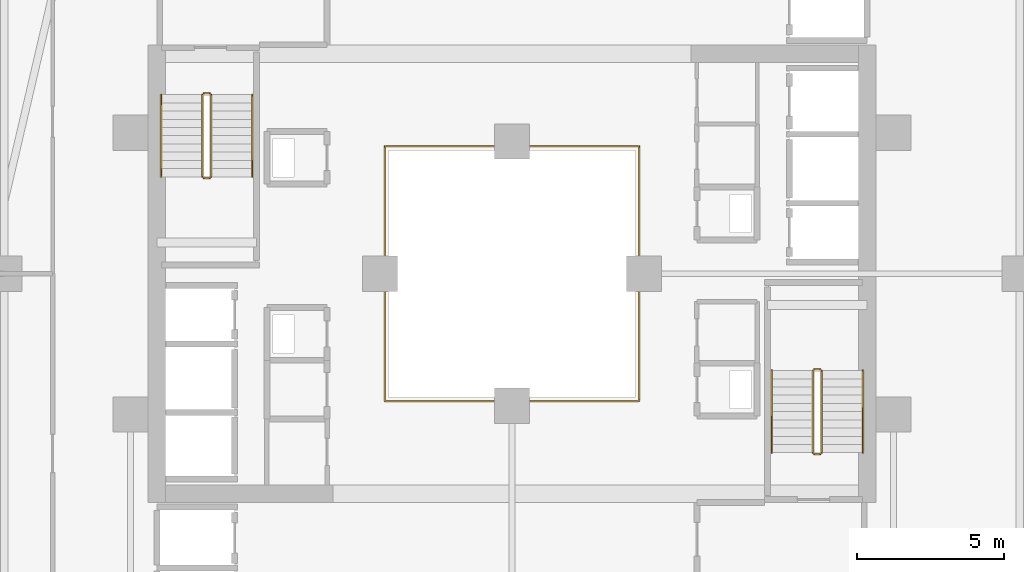
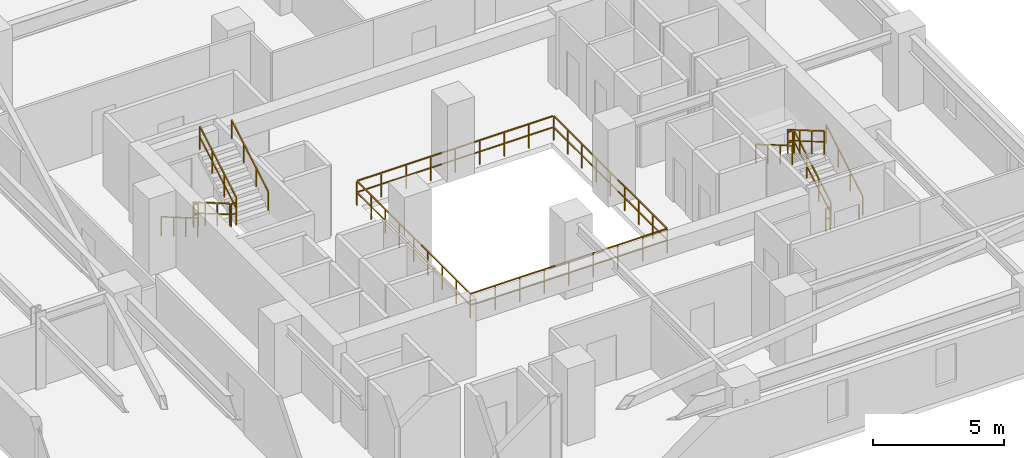
# One storey, part 28 of 29: 13 railings.
"""IFC4 building model written with IfcOpenShell, lengths in metres."""

import ifcopenshell
import ifcopenshell.guid

model = None  # the IFC model being written
_history = None  # IfcOwnerHistory: only IFC2X3 demands one
_inside = {}  # id of a spatial element -> (the spatial element, [elements in it])
_under = {}  # id of a project, library or spatial element -> (it, [spatial elements below it])
_declared = {}  # id of a project -> (the project, [libraries it declares])
_typed = {}  # id of a type object -> (the type object, [elements of that type])
_made_of = {}  # id of a material, layer set ... -> (it, [elements and type objects made of it])


def new_model(schema):
    """Start an empty IFC model of exactly this schema.

    Asked for "IFC4X3", IfcOpenShell would pick the latest addendum, in which some entities
    have other attributes; the version numbers below select the first issue.
    IFC2X3 requires an IfcOwnerHistory on every rooted entity: one is made here for all.
    """
    global model, _history
    if schema == "IFC4X3":
        model = ifcopenshell.file(schema_version=(4, 3, 0, 0))
    else:
        model = ifcopenshell.file(schema=schema)
    _inside.clear()
    _under.clear()
    _declared.clear()
    _typed.clear()
    _made_of.clear()
    _history = None
    if model.schema == "IFC2X3":
        org = make("IfcOrganization", Name="unknown")
        user = make(
            "IfcPersonAndOrganization",
            ThePerson=make("IfcPerson", FamilyName="unknown"),
            TheOrganization=org,
        )
        app = make(
            "IfcApplication",
            ApplicationDeveloper=org,
            Version="unknown",
            ApplicationFullName="unknown",
            ApplicationIdentifier="unknown",
        )
        _history = make(
            "IfcOwnerHistory",
            OwningUser=user,
            OwningApplication=app,
            ChangeAction="ADDED",
            CreationDate=0,
        )
    return model


def make(cls, **values):
    """One entity of the class cls with the attributes given. An attribute that is None is left unset."""
    return model.create_entity(
        cls, **{name: value for name, value in values.items() if value is not None}
    )


def rooted(cls, **values):
    """An entity with a GlobalId (a new one), such as an element, a storey or a relation."""
    return make(cls, GlobalId=ifcopenshell.guid.new(), OwnerHistory=_history, **values)


def si_unit(unit_type, name, prefix=None):
    """IfcSIUnit, for example si_unit("LENGTHUNIT", "METRE", prefix="MILLI")."""
    return make("IfcSIUnit", UnitType=unit_type, Prefix=prefix, Name=name)


def assignment(units):
    """IfcUnitAssignment: the units of a project."""
    return None if units is None else make("IfcUnitAssignment", Units=units)


def point(xyz):
    """IfcCartesianPoint."""
    return None if xyz is None else make("IfcCartesianPoint", Coordinates=xyz)


def direction(xyz):
    """IfcDirection."""
    return None if xyz is None else make("IfcDirection", DirectionRatios=xyz)


def frame(location, z_axis=None, x_axis=None):
    """IfcAxis2Placement3D, a coordinate frame: its origin and axes. An axis left out is left unset."""
    return make(
        "IfcAxis2Placement3D",
        Location=point(location),
        Axis=direction(z_axis),
        RefDirection=direction(x_axis),
    )


def frame_2d(location, x_axis=None):
    """IfcAxis2Placement2D, a coordinate frame in the plane: its origin and x axis."""
    return make(
        "IfcAxis2Placement2D", Location=point(location), RefDirection=direction(x_axis)
    )


def origin():
    """The frame at (0, 0, 0) with its axes left unset."""
    return frame((0.0, 0.0, 0.0))


def origin_2d():
    """The frame at (0, 0) in the plane with its x axis left unset."""
    return frame_2d((0.0, 0.0))


def place(relative_to, where):
    """IfcLocalPlacement: puts the frame where relative to a parent placement (None: the world)."""
    return make(
        "IfcLocalPlacement", PlacementRelTo=relative_to, RelativePlacement=where
    )


def context(
    kind, dimensions, precision=None, world=None, true_north=None, identifier=None
):
    """IfcGeometricRepresentationContext, for example the 3D "Model" context."""
    return make(
        "IfcGeometricRepresentationContext",
        ContextIdentifier=identifier,
        ContextType=kind,
        CoordinateSpaceDimension=dimensions,
        Precision=precision,
        WorldCoordinateSystem=world,
        TrueNorth=true_north,
    )


def subcontext(parent, identifier, kind, view, scale=None):
    """IfcGeometricRepresentationSubContext, for example "Body" below "Model"."""
    return make(
        "IfcGeometricRepresentationSubContext",
        ContextIdentifier=identifier,
        ContextType=kind,
        ParentContext=parent,
        TargetScale=scale,
        TargetView=view,
    )


def project(units=None, contexts=None):
    """IfcProject with its units and contexts."""
    return rooted(
        "IfcProject",
        Name="project",
        RepresentationContexts=contexts,
        UnitsInContext=assignment(units),
    )


def spatial(cls, under=None, at=None, **own):
    """A site, building, storey or space (cls), placed at a placement, below another one or the project."""
    s = rooted(cls, ObjectPlacement=at, **own)
    if under is not None:
        _under.setdefault(under.id(), (under, []))[1].append(s)
    return s


def profile(cls, at=None, kind="AREA", **sizes):
    """A parametric profile (cls). Its sizes go by their IFC names, for example OverallWidth=200.0."""
    return make(cls, ProfileType=kind, Position=at, **sizes)


def rectangle(**sizes):
    """IfcRectangleProfileDef."""
    return profile("IfcRectangleProfileDef", **sizes)


def extrude(swept, where, along, depth):
    """IfcExtrudedAreaSolid: the profile swept, set in the frame where, extruded along a direction by depth."""
    return make(
        "IfcExtrudedAreaSolid",
        SweptArea=swept,
        Position=where,
        ExtrudedDirection=direction(along),
        Depth=depth,
    )


def shape(context_of_items, identifier, shape_type, items):
    """IfcShapeRepresentation: the items that make up one representation, for example the "Body"."""
    return make(
        "IfcShapeRepresentation",
        ContextOfItems=context_of_items,
        RepresentationIdentifier=identifier,
        RepresentationType=shape_type,
        Items=items,
    )


def material(Name=None, Category=None):
    """IfcMaterial."""
    return make("IfcMaterial", Name=Name, Category=Category)


def made_of(thing, what):
    """Note that an element or type object is made of a material, layer set ...; save() writes the relation."""
    if what is not None:
        _made_of.setdefault(what.id(), (what, []))[1].append(thing)
    return thing


def type_object(cls, material=None, **own):
    """A type object (cls), such as IfcWallType, which elements share."""
    return made_of(rooted(cls, **own), material)


def element(
    cls,
    number,
    at=None,
    inside=None,
    cuts=None,
    type_object=None,
    material=None,
    context=None,
    identifier="Body",
    shape_type=None,
    held_by="IfcProductDefinitionShape",
    body=None,
    shapes=None,
    **own,
):
    """One element of the class cls, such as IfcWall. Its Tag is "e" and its number.

    at: its placement. inside: the storey or other place that contains it. cuts: it is an
    opening in that element (IfcRelVoidsElement). A single representation is given by context,
    identifier, shape_type and body (its items); several are given by shapes. held_by: the class
    of the entity that holds the representations. save() writes the other relations.
    """
    e = rooted(cls, Tag="e%d" % number, ObjectPlacement=at, **own)
    if body is not None:
        shapes = [shape(context, identifier, shape_type, body)]
    if shapes is not None:
        e.Representation = make(held_by, Representations=shapes)
    if inside is not None:
        _inside.setdefault(inside.id(), (inside, []))[1].append(e)
    if cuts is not None:
        rooted(
            "IfcRelVoidsElement", RelatingBuildingElement=cuts, RelatedOpeningElement=e
        )
    if type_object is not None:
        _typed.setdefault(type_object.id(), (type_object, []))[1].append(e)
    return made_of(e, material)


def aggregate(whole, parts):
    """IfcRelAggregates: a whole, such as a stair, and the parts it consists of."""
    return rooted("IfcRelAggregates", RelatingObject=whole, RelatedObjects=parts)


def save(model, path):
    """Write the relations noted so far, then the file.

    IfcRelAggregates (storeys below a building ...), IfcRelContainedInSpatialStructure (elements
    in a storey), IfcRelDefinesByType, IfcRelAssociatesMaterial and IfcRelDeclares: one each for
    every whole, place, type object, material and project.
    """
    for whole, parts in _under.values():
        aggregate(whole, parts)
    for where, things in _inside.values():
        rooted(
            "IfcRelContainedInSpatialStructure",
            RelatedElements=things,
            RelatingStructure=where,
        )
    for kind, things in _typed.values():
        rooted("IfcRelDefinesByType", RelatedObjects=things, RelatingType=kind)
    for what, things in _made_of.values():
        rooted("IfcRelAssociatesMaterial", RelatedObjects=things, RelatingMaterial=what)
    for by, libraries in _declared.values():
        rooted("IfcRelDeclares", RelatingContext=by, RelatedDefinitions=libraries)
    model.write(path)


model = new_model("IFC4")

# Units and contexts
model_context = context("Model", 3, precision=1e-05, world=origin(), true_north=direction((0.0, 1.0)))
body_context = subcontext(model_context, "Body", "Model", "MODEL_VIEW")
ifc_project = project(units=[si_unit("LENGTHUNIT", "METRE"), si_unit("AREAUNIT", "SQUARE_METRE"), si_unit("VOLUMEUNIT", "CUBIC_METRE"), si_unit("PLANEANGLEUNIT", "RADIAN"), si_unit("MASSUNIT", "GRAM", prefix="KILO")], contexts=[model_context])

# Site, building, storey
site_placement = place(None, origin())
site = spatial("IfcSite", under=ifc_project, at=site_placement, CompositionType="ELEMENT")
building_placement = place(site_placement, origin())
building = spatial("IfcBuilding", under=site, at=building_placement, Name="Thornwick Lancets Civic Towers", CompositionType="ELEMENT")
storey_placement = place(building_placement, frame((0.0, 0.0, 83.699951171875)))
storey = spatial("IfcBuildingStorey", under=building, at=storey_placement, Name="L21", CompositionType="ELEMENT", Elevation=83.699951171875)

# Railings
ifc_material_1 = material(Name="Laminated glass and bronze steel S355", Category="steel")
railing_type_1 = type_object("IfcRailingType", Name="RAIL_ATRIUM_GUARD", PredefinedType="BALUSTRADE", material=ifc_material_1)
railing_1_placement = place(storey_placement, frame((84.159912109375, 22.659912109375, 0.0)))
element("IfcRailing", 1, at=railing_1_placement, inside=storey, type_object=railing_type_1, Name="L21 Tower B Central Atrium Guard Balustrade", PredefinedType="BALUSTRADE", context=body_context, shape_type="SweptSolid", body=[
    extrude(rectangle(XDim=0.048095703125, YDim=0.048095703125, at=origin_2d()), frame((0.0, 0.0, 1.1259765625), z_axis=(1.0, 0.0, 0.0), x_axis=(0.0, 1.0, 0.0)), (0.0, 0.0, 1.0), 8.64892578125),
    extrude(rectangle(XDim=0.0419921875, YDim=0.0419921875, at=origin_2d()), frame((0.03759765625, 0.0, 0.597900390625), z_axis=(1.0, 0.0, 0.0), x_axis=(0.0, 1.0, 0.0)), (0.0, 0.0, 1.0), 1.010009765625),
    extrude(rectangle(XDim=0.0419921875, YDim=0.0419921875, at=origin_2d()), frame((1.12255859375, 0.0, 0.597900390625), z_axis=(1.0, 0.0, 0.0), x_axis=(0.0, 1.0, 0.0)), (0.0, 0.0, 1.0), 1.010009765625),
    extrude(rectangle(XDim=0.0419921875, YDim=0.0419921875, at=origin_2d()), frame((2.20751953125, 0.0, 0.597900390625), z_axis=(1.0, 0.0, 0.0), x_axis=(0.0, 1.0, 0.0)), (0.0, 0.0, 1.0), 1.010009765625),
    extrude(rectangle(XDim=0.0419921875, YDim=0.0419921875, at=origin_2d()), frame((3.29248046875, 0.0, 0.597900390625), z_axis=(1.0, 0.0, 0.0), x_axis=(0.0, 1.0, 0.0)), (0.0, 0.0, 1.0), 1.010009765625),
    extrude(rectangle(XDim=0.0419921875, YDim=0.0419921875, at=origin_2d()), frame((4.377685546875, 0.0, 0.597900390625), z_axis=(1.0, 0.0, 0.0), x_axis=(0.0, 1.0, 0.0)), (0.0, 0.0, 1.0), 1.010009765625),
    extrude(rectangle(XDim=0.0419921875, YDim=0.0419921875, at=origin_2d()), frame((5.462646484375, 0.0, 0.597900390625), z_axis=(1.0, 0.0, 0.0), x_axis=(0.0, 1.0, 0.0)), (0.0, 0.0, 1.0), 1.010009765625),
    extrude(rectangle(XDim=0.0419921875, YDim=0.0419921875, at=origin_2d()), frame((6.547607421875, 0.0, 0.597900390625), z_axis=(1.0, 0.0, 0.0), x_axis=(0.0, 1.0, 0.0)), (0.0, 0.0, 1.0), 1.010009765625),
    extrude(rectangle(XDim=0.0419921875, YDim=0.0419921875, at=origin_2d()), frame((7.632568359375, 0.0, 0.597900390625), z_axis=(1.0, 0.0, 0.0), x_axis=(0.0, 1.0, 0.0)), (0.0, 0.0, 1.0), 1.010009765625),
    extrude(rectangle(XDim=0.048095703125, YDim=0.048095703125, at=origin_2d()), frame((8.68017578125, 0.03125, 1.1259765625), z_axis=(0.0, 1.0, 0.0), x_axis=(-1.0, 0.0, 0.0)), (0.0, 0.0, 1.0), 8.61767578125),
    extrude(rectangle(XDim=0.0419921875, YDim=0.0419921875, at=origin_2d()), frame((8.68017578125, 0.03759765625, 0.597900390625), z_axis=(0.0, 1.0, 0.0), x_axis=(-1.0, 0.0, 0.0)), (0.0, 0.0, 1.0), 1.010009765625),
    extrude(rectangle(XDim=0.0419921875, YDim=0.0419921875, at=origin_2d()), frame((8.68017578125, 1.12255859375, 0.597900390625), z_axis=(0.0, 1.0, 0.0), x_axis=(-1.0, 0.0, 0.0)), (0.0, 0.0, 1.0), 1.010009765625),
    extrude(rectangle(XDim=0.0419921875, YDim=0.0419921875, at=origin_2d()), frame((8.68017578125, 2.20751953125, 0.597900390625), z_axis=(0.0, 1.0, 0.0), x_axis=(-1.0, 0.0, 0.0)), (0.0, 0.0, 1.0), 1.010009765625),
    extrude(rectangle(XDim=0.0419921875, YDim=0.0419921875, at=origin_2d()), frame((8.68017578125, 3.29248046875, 0.597900390625), z_axis=(0.0, 1.0, 0.0), x_axis=(-1.0, 0.0, 0.0)), (0.0, 0.0, 1.0), 1.010009765625),
    extrude(rectangle(XDim=0.0419921875, YDim=0.0419921875, at=origin_2d()), frame((8.68017578125, 4.377685546875, 0.597900390625), z_axis=(0.0, 1.0, 0.0), x_axis=(-1.0, 0.0, 0.0)), (0.0, 0.0, 1.0), 1.010009765625),
    extrude(rectangle(XDim=0.0419921875, YDim=0.0419921875, at=origin_2d()), frame((8.68017578125, 5.462646484375, 0.597900390625), z_axis=(0.0, 1.0, 0.0), x_axis=(-1.0, 0.0, 0.0)), (0.0, 0.0, 1.0), 1.010009765625),
    extrude(rectangle(XDim=0.0419921875, YDim=0.0419921875, at=origin_2d()), frame((8.68017578125, 6.547607421875, 0.597900390625), z_axis=(0.0, 1.0, 0.0), x_axis=(-1.0, 0.0, 0.0)), (0.0, 0.0, 1.0), 1.010009765625),
    extrude(rectangle(XDim=0.0419921875, YDim=0.0419921875, at=origin_2d()), frame((8.68017578125, 7.632568359375, 0.597900390625), z_axis=(0.0, 1.0, 0.0), x_axis=(-1.0, 0.0, 0.0)), (0.0, 0.0, 1.0), 1.010009765625),
    extrude(rectangle(XDim=0.048095703125, YDim=0.048095703125, at=origin_2d()), frame((8.64892578125, 8.68017578125, 1.1259765625), z_axis=(-1.0, 0.0, 0.0), x_axis=(0.0, -1.0, 0.0)), (0.0, 0.0, 1.0), 8.61767578125),
    extrude(rectangle(XDim=0.0419921875, YDim=0.0419921875, at=origin_2d()), frame((8.642578125, 8.68017578125, 0.597900390625), z_axis=(-1.0, 0.0, 0.0), x_axis=(0.0, -1.0, 0.0)), (0.0, 0.0, 1.0), 1.010009765625),
    extrude(rectangle(XDim=0.0419921875, YDim=0.0419921875, at=origin_2d()), frame((7.5576171875, 8.68017578125, 0.597900390625), z_axis=(-1.0, 0.0, 0.0), x_axis=(0.0, -1.0, 0.0)), (0.0, 0.0, 1.0), 1.010009765625),
    extrude(rectangle(XDim=0.0419921875, YDim=0.0419921875, at=origin_2d()), frame((6.47265625, 8.68017578125, 0.597900390625), z_axis=(-1.0, 0.0, 0.0), x_axis=(0.0, -1.0, 0.0)), (0.0, 0.0, 1.0), 1.010009765625),
    extrude(rectangle(XDim=0.0419921875, YDim=0.0419921875, at=origin_2d()), frame((5.3876953125, 8.68017578125, 0.597900390625), z_axis=(-1.0, 0.0, 0.0), x_axis=(0.0, -1.0, 0.0)), (0.0, 0.0, 1.0), 1.010009765625),
    extrude(rectangle(XDim=0.0419921875, YDim=0.0419921875, at=origin_2d()), frame((4.302490234375, 8.68017578125, 0.597900390625), z_axis=(-1.0, 0.0, 0.0), x_axis=(0.0, -1.0, 0.0)), (0.0, 0.0, 1.0), 1.010009765625),
    extrude(rectangle(XDim=0.0419921875, YDim=0.0419921875, at=origin_2d()), frame((3.217529296875, 8.68017578125, 0.597900390625), z_axis=(-1.0, 0.0, 0.0), x_axis=(0.0, -1.0, 0.0)), (0.0, 0.0, 1.0), 1.010009765625),
    extrude(rectangle(XDim=0.0419921875, YDim=0.0419921875, at=origin_2d()), frame((2.132568359375, 8.68017578125, 0.597900390625), z_axis=(-1.0, 0.0, 0.0), x_axis=(0.0, -1.0, 0.0)), (0.0, 0.0, 1.0), 1.010009765625),
    extrude(rectangle(XDim=0.0419921875, YDim=0.0419921875, at=origin_2d()), frame((1.047607421875, 8.68017578125, 0.597900390625), z_axis=(-1.0, 0.0, 0.0), x_axis=(0.0, -1.0, 0.0)), (0.0, 0.0, 1.0), 1.010009765625),
    extrude(rectangle(XDim=0.048095703125, YDim=0.048095703125, at=origin_2d()), frame((0.0, 8.64892578125, 1.1259765625), z_axis=(0.0, -1.0, 0.0), x_axis=(1.0, 0.0, 0.0)), (0.0, 0.0, 1.0), 8.64892578125),
    extrude(rectangle(XDim=0.0419921875, YDim=0.0419921875, at=origin_2d()), frame((0.0, 8.642578125, 0.597900390625), z_axis=(0.0, -1.0, 0.0), x_axis=(1.0, 0.0, 0.0)), (0.0, 0.0, 1.0), 1.010009765625),
    extrude(rectangle(XDim=0.0419921875, YDim=0.0419921875, at=origin_2d()), frame((0.0, 7.5576171875, 0.597900390625), z_axis=(0.0, -1.0, 0.0), x_axis=(1.0, 0.0, 0.0)), (0.0, 0.0, 1.0), 1.010009765625),
    extrude(rectangle(XDim=0.0419921875, YDim=0.0419921875, at=origin_2d()), frame((0.0, 6.47265625, 0.597900390625), z_axis=(0.0, -1.0, 0.0), x_axis=(1.0, 0.0, 0.0)), (0.0, 0.0, 1.0), 1.010009765625),
    extrude(rectangle(XDim=0.0419921875, YDim=0.0419921875, at=origin_2d()), frame((0.0, 5.3876953125, 0.597900390625), z_axis=(0.0, -1.0, 0.0), x_axis=(1.0, 0.0, 0.0)), (0.0, 0.0, 1.0), 1.010009765625),
    extrude(rectangle(XDim=0.0419921875, YDim=0.0419921875, at=origin_2d()), frame((0.0, 4.302490234375, 0.597900390625), z_axis=(0.0, -1.0, 0.0), x_axis=(1.0, 0.0, 0.0)), (0.0, 0.0, 1.0), 1.010009765625),
    extrude(rectangle(XDim=0.0419921875, YDim=0.0419921875, at=origin_2d()), frame((0.0, 3.217529296875, 0.597900390625), z_axis=(0.0, -1.0, 0.0), x_axis=(1.0, 0.0, 0.0)), (0.0, 0.0, 1.0), 1.010009765625),
    extrude(rectangle(XDim=0.0419921875, YDim=0.0419921875, at=origin_2d()), frame((0.0, 2.132568359375, 0.597900390625), z_axis=(0.0, -1.0, 0.0), x_axis=(1.0, 0.0, 0.0)), (0.0, 0.0, 1.0), 1.010009765625),
    extrude(rectangle(XDim=0.0419921875, YDim=0.0419921875, at=origin_2d()), frame((0.0, 1.047607421875, 0.597900390625), z_axis=(0.0, -1.0, 0.0), x_axis=(1.0, 0.0, 0.0)), (0.0, 0.0, 1.0), 1.010009765625),
    extrude(rectangle(XDim=0.0419921875, YDim=0.0419921875, at=origin_2d()), origin(), (0.0, 0.0, 1.0), 1.095703125),
    extrude(rectangle(XDim=0.0419921875, YDim=0.0419921875, at=origin_2d()), frame((1.0849609375, 0.0, 0.0)), (0.0, 0.0, 1.0), 1.095703125),
    extrude(rectangle(XDim=0.0419921875, YDim=0.0419921875, at=origin_2d()), frame((2.169921875, 0.0, 0.0)), (0.0, 0.0, 1.0), 1.095703125),
    extrude(rectangle(XDim=0.0419921875, YDim=0.0419921875, at=origin_2d()), frame((3.255126953125, 0.0, 0.0)), (0.0, 0.0, 1.0), 1.095703125),
    extrude(rectangle(XDim=0.0419921875, YDim=0.0419921875, at=origin_2d()), frame((4.340087890625, 0.0, 0.0)), (0.0, 0.0, 1.0), 1.095703125),
    extrude(rectangle(XDim=0.0419921875, YDim=0.0419921875, at=origin_2d()), frame((5.425048828125, 0.0, 0.0)), (0.0, 0.0, 1.0), 1.095703125),
    extrude(rectangle(XDim=0.0419921875, YDim=0.0419921875, at=origin_2d()), frame((6.51025390625, 0.0, 0.0)), (0.0, 0.0, 1.0), 1.095703125),
    extrude(rectangle(XDim=0.0419921875, YDim=0.0419921875, at=origin_2d()), frame((7.59521484375, 0.0, 0.0)), (0.0, 0.0, 1.0), 1.095703125),
    extrude(rectangle(XDim=0.0419921875, YDim=0.0419921875, at=origin_2d()), frame((8.68017578125, 0.0, 0.0)), (0.0, 0.0, 1.0), 1.095703125),
    extrude(rectangle(XDim=0.0419921875, YDim=0.0419921875, at=origin_2d()), frame((8.68017578125, 1.0849609375, 0.0)), (0.0, 0.0, 1.0), 1.095703125),
    extrude(rectangle(XDim=0.0419921875, YDim=0.0419921875, at=origin_2d()), frame((8.68017578125, 2.169921875, 0.0)), (0.0, 0.0, 1.0), 1.095703125),
    extrude(rectangle(XDim=0.0419921875, YDim=0.0419921875, at=origin_2d()), frame((8.68017578125, 3.255126953125, 0.0)), (0.0, 0.0, 1.0), 1.095703125),
    extrude(rectangle(XDim=0.0419921875, YDim=0.0419921875, at=origin_2d()), frame((8.68017578125, 4.340087890625, 0.0)), (0.0, 0.0, 1.0), 1.095703125),
    extrude(rectangle(XDim=0.0419921875, YDim=0.0419921875, at=origin_2d()), frame((8.68017578125, 5.425048828125, 0.0)), (0.0, 0.0, 1.0), 1.095703125),
    extrude(rectangle(XDim=0.0419921875, YDim=0.0419921875, at=origin_2d()), frame((8.68017578125, 6.51025390625, 0.0)), (0.0, 0.0, 1.0), 1.095703125),
    extrude(rectangle(XDim=0.0419921875, YDim=0.0419921875, at=origin_2d()), frame((8.68017578125, 7.59521484375, 0.0)), (0.0, 0.0, 1.0), 1.095703125),
    extrude(rectangle(XDim=0.0419921875, YDim=0.0419921875, at=origin_2d()), frame((8.68017578125, 8.68017578125, 0.0)), (0.0, 0.0, 1.0), 1.095703125),
    extrude(rectangle(XDim=0.0419921875, YDim=0.0419921875, at=origin_2d()), frame((7.59521484375, 8.68017578125, 0.0)), (0.0, 0.0, 1.0), 1.095703125),
    extrude(rectangle(XDim=0.0419921875, YDim=0.0419921875, at=origin_2d()), frame((6.51025390625, 8.68017578125, 0.0)), (0.0, 0.0, 1.0), 1.095703125),
    extrude(rectangle(XDim=0.0419921875, YDim=0.0419921875, at=origin_2d()), frame((5.425048828125, 8.68017578125, 0.0)), (0.0, 0.0, 1.0), 1.095703125),
    extrude(rectangle(XDim=0.0419921875, YDim=0.0419921875, at=origin_2d()), frame((4.340087890625, 8.68017578125, 0.0)), (0.0, 0.0, 1.0), 1.095703125),
    extrude(rectangle(XDim=0.0419921875, YDim=0.0419921875, at=origin_2d()), frame((3.255126953125, 8.68017578125, 0.0)), (0.0, 0.0, 1.0), 1.095703125),
    extrude(rectangle(XDim=0.0419921875, YDim=0.0419921875, at=origin_2d()), frame((2.169921875, 8.68017578125, 0.0)), (0.0, 0.0, 1.0), 1.095703125),
    extrude(rectangle(XDim=0.0419921875, YDim=0.0419921875, at=origin_2d()), frame((1.0849609375, 8.68017578125, 0.0)), (0.0, 0.0, 1.0), 1.095703125),
    extrude(rectangle(XDim=0.0419921875, YDim=0.0419921875, at=origin_2d()), frame((0.0, 8.68017578125, 0.0)), (0.0, 0.0, 1.0), 1.095703125),
    extrude(rectangle(XDim=0.0419921875, YDim=0.0419921875, at=origin_2d()), frame((0.0, 7.59521484375, 0.0)), (0.0, 0.0, 1.0), 1.095703125),
    extrude(rectangle(XDim=0.0419921875, YDim=0.0419921875, at=origin_2d()), frame((0.0, 6.51025390625, 0.0)), (0.0, 0.0, 1.0), 1.095703125),
    extrude(rectangle(XDim=0.0419921875, YDim=0.0419921875, at=origin_2d()), frame((0.0, 5.425048828125, 0.0)), (0.0, 0.0, 1.0), 1.095703125),
    extrude(rectangle(XDim=0.0419921875, YDim=0.0419921875, at=origin_2d()), frame((0.0, 4.340087890625, 0.0)), (0.0, 0.0, 1.0), 1.095703125),
    extrude(rectangle(XDim=0.0419921875, YDim=0.0419921875, at=origin_2d()), frame((0.0, 3.255126953125, 0.0)), (0.0, 0.0, 1.0), 1.095703125),
    extrude(rectangle(XDim=0.0419921875, YDim=0.0419921875, at=origin_2d()), frame((0.0, 2.169921875, 0.0)), (0.0, 0.0, 1.0), 1.095703125),
    extrude(rectangle(XDim=0.0419921875, YDim=0.0419921875, at=origin_2d()), frame((0.0, 1.0849609375, 0.0)), (0.0, 0.0, 1.0), 1.095703125),
])
ifc_material_2 = material(Name="Brushed stainless steel S355", Category="steel")
railing_type_2 = type_object("IfcRailingType", Name="RAIL_HANDRAIL", PredefinedType="HANDRAIL", material=ifc_material_2)
railing_2_placement = place(storey_placement, frame((100.449951171875, 20.89990234375, 0.16357421875)))
element("IfcRailing", 2, at=railing_2_placement, inside=storey, type_object=railing_type_2, Name="L21 ST-B1 stair handrail 1", PredefinedType="HANDRAIL", context=body_context, shape_type="SweptSolid", body=[
    extrude(rectangle(XDim=0.048095703125, YDim=0.048095703125, at=origin_2d()), frame((0.0, 0.0, 0.8857421875), z_axis=(0.0, 0.863360870873, 0.504586966384), x_axis=(-1.0, 0.0, 0.0)), (0.0, 0.0, 1.0), 3.2431640625),
    extrude(rectangle(XDim=0.0419921875, YDim=0.0419921875, at=origin_2d()), origin(), (0.0, 0.0, 1.0), 0.855712890625),
    extrude(rectangle(XDim=0.0419921875, YDim=0.0419921875, at=origin_2d()), frame((0.0, 0.933349609375, 0.54541015625)), (0.0, 0.0, 1.0), 0.855712890625),
    extrude(rectangle(XDim=0.0419921875, YDim=0.0419921875, at=origin_2d()), frame((0.0, 1.86669921875, 1.091064453125)), (0.0, 0.0, 1.0), 0.855712890625),
    extrude(rectangle(XDim=0.0419921875, YDim=0.0419921875, at=origin_2d()), frame((0.0, 2.800048828125, 1.636474609375)), (0.0, 0.0, 1.0), 0.855712890625),
])
for number, where, name in (
    (3, (97.35009765625, 23.699951171875, 1.963623046875), "L21 ST-B1 stair handrail 2"),
    (4, (76.550048828125, 33.10009765625, 0.16357421875), "L21 ST-B2 stair handrail 1"),
):
    element("IfcRailing", number, at=place(storey_placement, frame(where)), inside=storey, type_object=railing_type_2, Name=name, PredefinedType="HANDRAIL", context=body_context, shape_type="SweptSolid", body=[
        extrude(rectangle(XDim=0.048095703125, YDim=0.048095703125, at=origin_2d()), frame((0.0, 0.0, 0.8857421875), z_axis=(0.0, -0.863360870873, 0.504586966384), x_axis=(1.0, 0.0, 0.0)), (0.0, 0.0, 1.0), 3.2431640625),
        extrude(rectangle(XDim=0.0419921875, YDim=0.0419921875, at=origin_2d()), origin(), (0.0, 0.0, 1.0), 0.855712890625),
        extrude(rectangle(XDim=0.0419921875, YDim=0.0419921875, at=origin_2d()), frame((0.0, -0.933349609375, 0.54541015625)), (0.0, 0.0, 1.0), 0.855712890625),
        extrude(rectangle(XDim=0.0419921875, YDim=0.0419921875, at=origin_2d()), frame((0.0, -1.86669921875, 1.091064453125)), (0.0, 0.0, 1.0), 0.855712890625),
        extrude(rectangle(XDim=0.0419921875, YDim=0.0419921875, at=origin_2d()), frame((0.0, -2.800048828125, 1.636474609375)), (0.0, 0.0, 1.0), 0.855712890625),
    ])
railing_3_placement = place(storey_placement, frame((79.64990234375, 30.300048828125, 1.963623046875)))
element("IfcRailing", 5, at=railing_3_placement, inside=storey, type_object=railing_type_2, Name="L21 ST-B2 stair handrail 2", PredefinedType="HANDRAIL", context=body_context, shape_type="SweptSolid", body=[
    extrude(rectangle(XDim=0.048095703125, YDim=0.048095703125, at=origin_2d()), frame((0.0, 0.0, 0.8857421875), z_axis=(0.0, 0.863360870873, 0.504586966384), x_axis=(-1.0, 0.0, 0.0)), (0.0, 0.0, 1.0), 3.2431640625),
    extrude(rectangle(XDim=0.0419921875, YDim=0.0419921875, at=origin_2d()), origin(), (0.0, 0.0, 1.0), 0.855712890625),
    extrude(rectangle(XDim=0.0419921875, YDim=0.0419921875, at=origin_2d()), frame((0.0, 0.933349609375, 0.54541015625)), (0.0, 0.0, 1.0), 0.855712890625),
    extrude(rectangle(XDim=0.0419921875, YDim=0.0419921875, at=origin_2d()), frame((0.0, 1.86669921875, 1.091064453125)), (0.0, 0.0, 1.0), 0.855712890625),
    extrude(rectangle(XDim=0.0419921875, YDim=0.0419921875, at=origin_2d()), frame((0.0, 2.800048828125, 1.636474609375)), (0.0, 0.0, 1.0), 0.855712890625),
])
ifc_material_3 = material(Name="Steel S355JR", Category="steel")
railing_type_3 = type_object("IfcRailingType", Name="RAIL_STAIR_GUARD", PredefinedType="GUARDRAIL", material=ifc_material_3)
railing_4_placement = place(storey_placement, frame((99.050048828125, 20.89990234375, 0.16357421875)))
element("IfcRailing", 6, at=railing_4_placement, inside=storey, type_object=railing_type_3, Name="L21 ST-B1 stair guard 1", PredefinedType="GUARDRAIL", context=body_context, shape_type="SweptSolid", body=[
    extrude(rectangle(XDim=0.048095703125, YDim=0.048095703125, at=origin_2d()), frame((0.0, 0.0, 1.076171875), z_axis=(0.0, 0.863360870873, 0.504586966384), x_axis=(-1.0, 0.0, 0.0)), (0.0, 0.0, 1.0), 3.2431640625),
    extrude(rectangle(XDim=0.0419921875, YDim=0.0419921875, at=origin_2d()), frame((0.0, 0.032470703125, 0.591064453125), z_axis=(0.0, 0.863360870873, 0.504586966384), x_axis=(-1.0, 0.0, 0.0)), (0.0, 0.0, 1.0), 1.006103515625),
    extrude(rectangle(XDim=0.0419921875, YDim=0.0419921875, at=origin_2d()), frame((0.0, 0.9658203125, 1.136474609375), z_axis=(0.0, 0.863360870873, 0.504586966384), x_axis=(-1.0, 0.0, 0.0)), (0.0, 0.0, 1.0), 1.006103515625),
    extrude(rectangle(XDim=0.0419921875, YDim=0.0419921875, at=origin_2d()), frame((0.0, 1.899169921875, 1.681884765625), z_axis=(0.0, 0.863360870873, 0.504586966384), x_axis=(-1.0, 0.0, 0.0)), (0.0, 0.0, 1.0), 1.006103515625),
    extrude(rectangle(XDim=0.0419921875, YDim=0.0419921875, at=origin_2d()), origin(), (0.0, 0.0, 1.0), 1.0458984375),
    extrude(rectangle(XDim=0.0419921875, YDim=0.0419921875, at=origin_2d()), frame((0.0, 0.933349609375, 0.54541015625)), (0.0, 0.0, 1.0), 1.0458984375),
    extrude(rectangle(XDim=0.0419921875, YDim=0.0419921875, at=origin_2d()), frame((0.0, 1.86669921875, 1.091064453125)), (0.0, 0.0, 1.0), 1.0458984375),
    extrude(rectangle(XDim=0.0419921875, YDim=0.0419921875, at=origin_2d()), frame((0.0, 2.800048828125, 1.636474609375)), (0.0, 0.0, 1.0), 1.0458984375),
])
railing_5_placement = place(storey_placement, frame((99.0, 23.75, 1.800048828125)))
element("IfcRailing", 7, at=railing_5_placement, inside=storey, type_object=railing_type_3, Name="L21 ST-B1 stair guard 2", PredefinedType="GUARDRAIL", context=body_context, shape_type="SweptSolid", body=[
    extrude(rectangle(XDim=0.048095703125, YDim=0.048095703125, at=origin_2d()), frame((0.0, 0.0, 1.076171875), z_axis=(-1.0, 0.0, 0.0), x_axis=(0.0, -1.0, 0.0)), (0.0, 0.0, 1.0), 0.199951171875),
    extrude(rectangle(XDim=0.0419921875, YDim=0.0419921875, at=origin_2d()), frame((-0.03759765625, 0.0, 0.572021484375), z_axis=(-1.0, 0.0, 0.0), x_axis=(0.0, -1.0, 0.0)), (0.0, 0.0, 1.0), 0.125),
    extrude(rectangle(XDim=0.0419921875, YDim=0.0419921875, at=origin_2d()), origin(), (0.0, 0.0, 1.0), 1.0458984375),
    extrude(rectangle(XDim=0.0419921875, YDim=0.0419921875, at=origin_2d()), frame((-0.199951171875, 0.0, 0.0)), (0.0, 0.0, 1.0), 1.0458984375),
])
railing_6_placement = place(storey_placement, frame((98.75, 23.699951171875, 1.963623046875)))
element("IfcRailing", 8, at=railing_6_placement, inside=storey, type_object=railing_type_3, Name="L21 ST-B1 stair guard 3", PredefinedType="GUARDRAIL", context=body_context, shape_type="SweptSolid", body=[
    extrude(rectangle(XDim=0.048095703125, YDim=0.048095703125, at=origin_2d()), frame((0.0, 0.0, 1.076171875), z_axis=(0.0, -0.863360870873, 0.504586966384), x_axis=(1.0, 0.0, 0.0)), (0.0, 0.0, 1.0), 3.2431640625),
    extrude(rectangle(XDim=0.0419921875, YDim=0.0419921875, at=origin_2d()), frame((0.0, -0.032470703125, 0.591064453125), z_axis=(0.0, -0.863360870873, 0.504586966384), x_axis=(1.0, 0.0, 0.0)), (0.0, 0.0, 1.0), 1.006103515625),
    extrude(rectangle(XDim=0.0419921875, YDim=0.0419921875, at=origin_2d()), frame((0.0, -0.9658203125, 1.136474609375), z_axis=(0.0, -0.863360870873, 0.504586966384), x_axis=(1.0, 0.0, 0.0)), (0.0, 0.0, 1.0), 1.006103515625),
    extrude(rectangle(XDim=0.0419921875, YDim=0.0419921875, at=origin_2d()), frame((0.0, -1.899169921875, 1.681884765625), z_axis=(0.0, -0.863360870873, 0.504586966384), x_axis=(1.0, 0.0, 0.0)), (0.0, 0.0, 1.0), 1.006103515625),
    extrude(rectangle(XDim=0.0419921875, YDim=0.0419921875, at=origin_2d()), origin(), (0.0, 0.0, 1.0), 1.0458984375),
    extrude(rectangle(XDim=0.0419921875, YDim=0.0419921875, at=origin_2d()), frame((0.0, -0.933349609375, 0.54541015625)), (0.0, 0.0, 1.0), 1.0458984375),
    extrude(rectangle(XDim=0.0419921875, YDim=0.0419921875, at=origin_2d()), frame((0.0, -1.86669921875, 1.091064453125)), (0.0, 0.0, 1.0), 1.0458984375),
    extrude(rectangle(XDim=0.0419921875, YDim=0.0419921875, at=origin_2d()), frame((0.0, -2.800048828125, 1.636474609375)), (0.0, 0.0, 1.0), 1.0458984375),
])
railing_7_placement = place(storey_placement, frame((99.0, 20.85009765625, 0.0)))
element("IfcRailing", 9, at=railing_7_placement, inside=storey, type_object=railing_type_3, Name="L21 ST-B1 stair guard 4", PredefinedType="GUARDRAIL", context=body_context, shape_type="SweptSolid", body=[
    extrude(rectangle(XDim=0.048095703125, YDim=0.048095703125, at=origin_2d()), frame((0.0, 0.0, 1.076171875), z_axis=(-1.0, 0.0, 0.0), x_axis=(0.0, -1.0, 0.0)), (0.0, 0.0, 1.0), 0.199951171875),
    extrude(rectangle(XDim=0.0419921875, YDim=0.0419921875, at=origin_2d()), frame((-0.03759765625, 0.0, 0.572021484375), z_axis=(-1.0, 0.0, 0.0), x_axis=(0.0, -1.0, 0.0)), (0.0, 0.0, 1.0), 0.125),
    extrude(rectangle(XDim=0.0419921875, YDim=0.0419921875, at=origin_2d()), origin(), (0.0, 0.0, 1.0), 1.0458984375),
    extrude(rectangle(XDim=0.0419921875, YDim=0.0419921875, at=origin_2d()), frame((-0.199951171875, 0.0, 0.0)), (0.0, 0.0, 1.0), 1.0458984375),
])
railing_8_placement = place(storey_placement, frame((77.949951171875, 33.10009765625, 0.16357421875)))
element("IfcRailing", 10, at=railing_8_placement, inside=storey, type_object=railing_type_3, Name="L21 ST-B2 stair guard 1", PredefinedType="GUARDRAIL", context=body_context, shape_type="SweptSolid", body=[
    extrude(rectangle(XDim=0.048095703125, YDim=0.048095703125, at=origin_2d()), frame((0.0, 0.0, 1.076171875), z_axis=(0.0, -0.863360870873, 0.504586966384), x_axis=(1.0, 0.0, 0.0)), (0.0, 0.0, 1.0), 3.2431640625),
    extrude(rectangle(XDim=0.0419921875, YDim=0.0419921875, at=origin_2d()), frame((0.0, -0.032470703125, 0.591064453125), z_axis=(0.0, -0.863360870873, 0.504586966384), x_axis=(1.0, 0.0, 0.0)), (0.0, 0.0, 1.0), 1.006103515625),
    extrude(rectangle(XDim=0.0419921875, YDim=0.0419921875, at=origin_2d()), frame((0.0, -0.9658203125, 1.136474609375), z_axis=(0.0, -0.863360870873, 0.504586966384), x_axis=(1.0, 0.0, 0.0)), (0.0, 0.0, 1.0), 1.006103515625),
    extrude(rectangle(XDim=0.0419921875, YDim=0.0419921875, at=origin_2d()), frame((0.0, -1.899169921875, 1.681884765625), z_axis=(0.0, -0.863360870873, 0.504586966384), x_axis=(1.0, 0.0, 0.0)), (0.0, 0.0, 1.0), 1.006103515625),
    extrude(rectangle(XDim=0.0419921875, YDim=0.0419921875, at=origin_2d()), origin(), (0.0, 0.0, 1.0), 1.0458984375),
    extrude(rectangle(XDim=0.0419921875, YDim=0.0419921875, at=origin_2d()), frame((0.0, -0.933349609375, 0.54541015625)), (0.0, 0.0, 1.0), 1.0458984375),
    extrude(rectangle(XDim=0.0419921875, YDim=0.0419921875, at=origin_2d()), frame((0.0, -1.86669921875, 1.091064453125)), (0.0, 0.0, 1.0), 1.0458984375),
    extrude(rectangle(XDim=0.0419921875, YDim=0.0419921875, at=origin_2d()), frame((0.0, -2.800048828125, 1.636474609375)), (0.0, 0.0, 1.0), 1.0458984375),
])
railing_9_placement = place(storey_placement, frame((78.0, 30.25, 1.800048828125)))
element("IfcRailing", 11, at=railing_9_placement, inside=storey, type_object=railing_type_3, Name="L21 ST-B2 stair guard 2", PredefinedType="GUARDRAIL", context=body_context, shape_type="SweptSolid", body=[
    extrude(rectangle(XDim=0.048095703125, YDim=0.048095703125, at=origin_2d()), frame((0.0, 0.0, 1.076171875), z_axis=(1.0, 0.0, 0.0), x_axis=(0.0, 1.0, 0.0)), (0.0, 0.0, 1.0), 0.199951171875),
    extrude(rectangle(XDim=0.0419921875, YDim=0.0419921875, at=origin_2d()), frame((0.03759765625, 0.0, 0.572021484375), z_axis=(1.0, 0.0, 0.0), x_axis=(0.0, 1.0, 0.0)), (0.0, 0.0, 1.0), 0.125),
    extrude(rectangle(XDim=0.0419921875, YDim=0.0419921875, at=origin_2d()), origin(), (0.0, 0.0, 1.0), 1.0458984375),
    extrude(rectangle(XDim=0.0419921875, YDim=0.0419921875, at=origin_2d()), frame((0.199951171875, 0.0, 0.0)), (0.0, 0.0, 1.0), 1.0458984375),
])
railing_10_placement = place(storey_placement, frame((78.25, 30.300048828125, 1.963623046875)))
element("IfcRailing", 12, at=railing_10_placement, inside=storey, type_object=railing_type_3, Name="L21 ST-B2 stair guard 3", PredefinedType="GUARDRAIL", context=body_context, shape_type="SweptSolid", body=[
    extrude(rectangle(XDim=0.048095703125, YDim=0.048095703125, at=origin_2d()), frame((0.0, 0.0, 1.076171875), z_axis=(0.0, 0.863360870873, 0.504586966384), x_axis=(-1.0, 0.0, 0.0)), (0.0, 0.0, 1.0), 3.2431640625),
    extrude(rectangle(XDim=0.0419921875, YDim=0.0419921875, at=origin_2d()), frame((0.0, 0.032470703125, 0.591064453125), z_axis=(0.0, 0.863360870873, 0.504586966384), x_axis=(-1.0, 0.0, 0.0)), (0.0, 0.0, 1.0), 1.006103515625),
    extrude(rectangle(XDim=0.0419921875, YDim=0.0419921875, at=origin_2d()), frame((0.0, 0.9658203125, 1.136474609375), z_axis=(0.0, 0.863360870873, 0.504586966384), x_axis=(-1.0, 0.0, 0.0)), (0.0, 0.0, 1.0), 1.006103515625),
    extrude(rectangle(XDim=0.0419921875, YDim=0.0419921875, at=origin_2d()), frame((0.0, 1.899169921875, 1.681884765625), z_axis=(0.0, 0.863360870873, 0.504586966384), x_axis=(-1.0, 0.0, 0.0)), (0.0, 0.0, 1.0), 1.006103515625),
    extrude(rectangle(XDim=0.0419921875, YDim=0.0419921875, at=origin_2d()), origin(), (0.0, 0.0, 1.0), 1.0458984375),
    extrude(rectangle(XDim=0.0419921875, YDim=0.0419921875, at=origin_2d()), frame((0.0, 0.933349609375, 0.54541015625)), (0.0, 0.0, 1.0), 1.0458984375),
    extrude(rectangle(XDim=0.0419921875, YDim=0.0419921875, at=origin_2d()), frame((0.0, 1.86669921875, 1.091064453125)), (0.0, 0.0, 1.0), 1.0458984375),
    extrude(rectangle(XDim=0.0419921875, YDim=0.0419921875, at=origin_2d()), frame((0.0, 2.800048828125, 1.636474609375)), (0.0, 0.0, 1.0), 1.0458984375),
])
railing_11_placement = place(storey_placement, frame((78.0, 33.14990234375, 0.0)))
element("IfcRailing", 13, at=railing_11_placement, inside=storey, type_object=railing_type_3, Name="L21 ST-B2 stair guard 4", PredefinedType="GUARDRAIL", context=body_context, shape_type="SweptSolid", body=[
    extrude(rectangle(XDim=0.048095703125, YDim=0.048095703125, at=origin_2d()), frame((0.0, 0.0, 1.076171875), z_axis=(1.0, 0.0, 0.0), x_axis=(0.0, 1.0, 0.0)), (0.0, 0.0, 1.0), 0.199951171875),
    extrude(rectangle(XDim=0.0419921875, YDim=0.0419921875, at=origin_2d()), frame((0.03759765625, 0.0, 0.572021484375), z_axis=(1.0, 0.0, 0.0), x_axis=(0.0, 1.0, 0.0)), (0.0, 0.0, 1.0), 0.125),
    extrude(rectangle(XDim=0.0419921875, YDim=0.0419921875, at=origin_2d()), origin(), (0.0, 0.0, 1.0), 1.0458984375),
    extrude(rectangle(XDim=0.0419921875, YDim=0.0419921875, at=origin_2d()), frame((0.199951171875, 0.0, 0.0)), (0.0, 0.0, 1.0), 1.0458984375),
])

save(model, "model.ifc")
